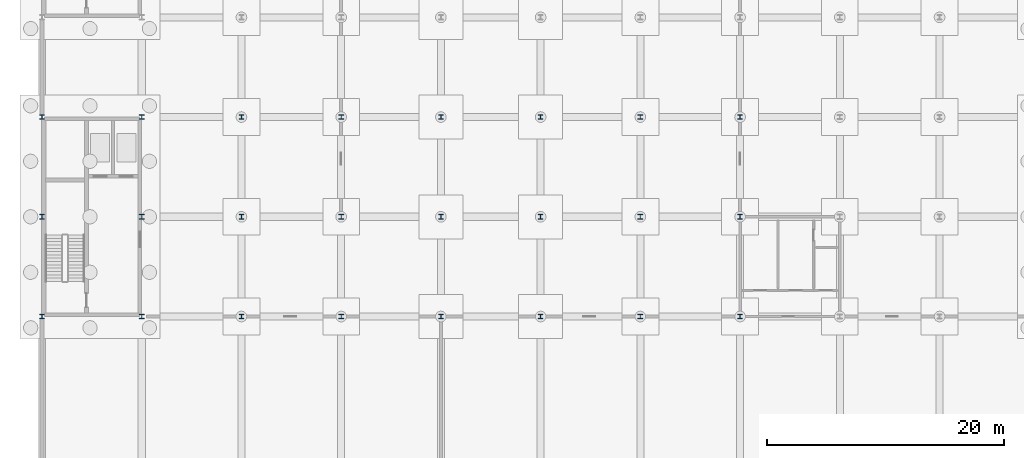
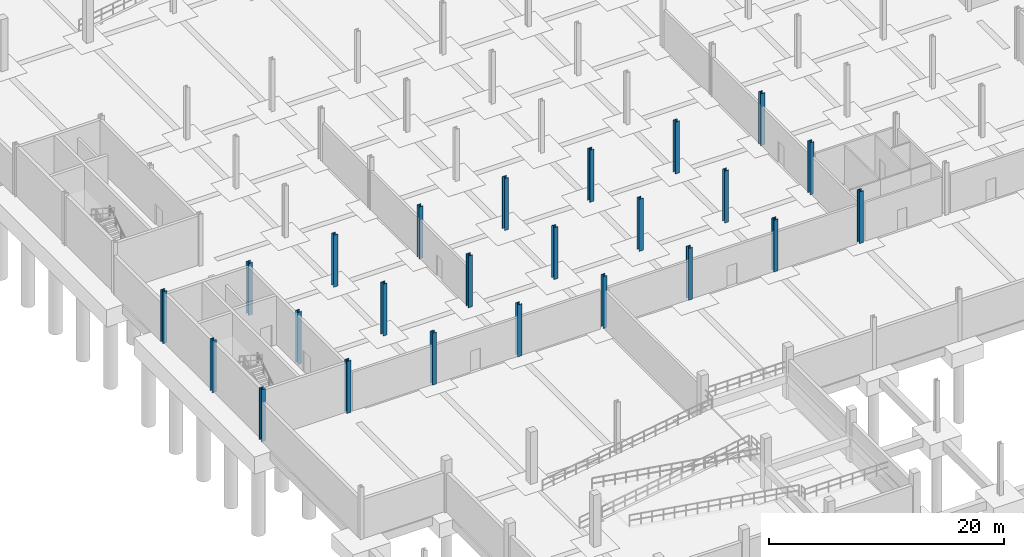
# One storey, part 8 of 36: 24 columns.
"""IFC4 building model written with IfcOpenShell, lengths in metres."""

import ifcopenshell
import ifcopenshell.guid

model = None  # the IFC model being written
_history = None  # IfcOwnerHistory: only IFC2X3 demands one
_inside = {}  # id of a spatial element -> (the spatial element, [elements in it])
_under = {}  # id of a project, library or spatial element -> (it, [spatial elements below it])
_declared = {}  # id of a project -> (the project, [libraries it declares])
_typed = {}  # id of a type object -> (the type object, [elements of that type])
_made_of = {}  # id of a material, layer set ... -> (it, [elements and type objects made of it])


def new_model(schema):
    """Start an empty IFC model of exactly this schema.

    Asked for "IFC4X3", IfcOpenShell would pick the latest addendum, in which some entities
    have other attributes; the version numbers below select the first issue.
    IFC2X3 requires an IfcOwnerHistory on every rooted entity: one is made here for all.
    """
    global model, _history
    if schema == "IFC4X3":
        model = ifcopenshell.file(schema_version=(4, 3, 0, 0))
    else:
        model = ifcopenshell.file(schema=schema)
    _inside.clear()
    _under.clear()
    _declared.clear()
    _typed.clear()
    _made_of.clear()
    _history = None
    if model.schema == "IFC2X3":
        org = make("IfcOrganization", Name="unknown")
        user = make(
            "IfcPersonAndOrganization",
            ThePerson=make("IfcPerson", FamilyName="unknown"),
            TheOrganization=org,
        )
        app = make(
            "IfcApplication",
            ApplicationDeveloper=org,
            Version="unknown",
            ApplicationFullName="unknown",
            ApplicationIdentifier="unknown",
        )
        _history = make(
            "IfcOwnerHistory",
            OwningUser=user,
            OwningApplication=app,
            ChangeAction="ADDED",
            CreationDate=0,
        )
    return model


def make(cls, **values):
    """One entity of the class cls with the attributes given. An attribute that is None is left unset."""
    return model.create_entity(
        cls, **{name: value for name, value in values.items() if value is not None}
    )


def rooted(cls, **values):
    """An entity with a GlobalId (a new one), such as an element, a storey or a relation."""
    return make(cls, GlobalId=ifcopenshell.guid.new(), OwnerHistory=_history, **values)


def si_unit(unit_type, name, prefix=None):
    """IfcSIUnit, for example si_unit("LENGTHUNIT", "METRE", prefix="MILLI")."""
    return make("IfcSIUnit", UnitType=unit_type, Prefix=prefix, Name=name)


def assignment(units):
    """IfcUnitAssignment: the units of a project."""
    return None if units is None else make("IfcUnitAssignment", Units=units)


def point(xyz):
    """IfcCartesianPoint."""
    return None if xyz is None else make("IfcCartesianPoint", Coordinates=xyz)


def direction(xyz):
    """IfcDirection."""
    return None if xyz is None else make("IfcDirection", DirectionRatios=xyz)


def frame(location, z_axis=None, x_axis=None):
    """IfcAxis2Placement3D, a coordinate frame: its origin and axes. An axis left out is left unset."""
    return make(
        "IfcAxis2Placement3D",
        Location=point(location),
        Axis=direction(z_axis),
        RefDirection=direction(x_axis),
    )


def frame_2d(location, x_axis=None):
    """IfcAxis2Placement2D, a coordinate frame in the plane: its origin and x axis."""
    return make(
        "IfcAxis2Placement2D", Location=point(location), RefDirection=direction(x_axis)
    )


def origin():
    """The frame at (0, 0, 0) with its axes left unset."""
    return frame((0.0, 0.0, 0.0))


def origin_2d():
    """The frame at (0, 0) in the plane with its x axis left unset."""
    return frame_2d((0.0, 0.0))


def place(relative_to, where):
    """IfcLocalPlacement: puts the frame where relative to a parent placement (None: the world)."""
    return make(
        "IfcLocalPlacement", PlacementRelTo=relative_to, RelativePlacement=where
    )


def context(
    kind, dimensions, precision=None, world=None, true_north=None, identifier=None
):
    """IfcGeometricRepresentationContext, for example the 3D "Model" context."""
    return make(
        "IfcGeometricRepresentationContext",
        ContextIdentifier=identifier,
        ContextType=kind,
        CoordinateSpaceDimension=dimensions,
        Precision=precision,
        WorldCoordinateSystem=world,
        TrueNorth=true_north,
    )


def subcontext(parent, identifier, kind, view, scale=None):
    """IfcGeometricRepresentationSubContext, for example "Body" below "Model"."""
    return make(
        "IfcGeometricRepresentationSubContext",
        ContextIdentifier=identifier,
        ContextType=kind,
        ParentContext=parent,
        TargetScale=scale,
        TargetView=view,
    )


def project(units=None, contexts=None):
    """IfcProject with its units and contexts."""
    return rooted(
        "IfcProject",
        Name="project",
        RepresentationContexts=contexts,
        UnitsInContext=assignment(units),
    )


def spatial(cls, under=None, at=None, **own):
    """A site, building, storey or space (cls), placed at a placement, below another one or the project."""
    s = rooted(cls, ObjectPlacement=at, **own)
    if under is not None:
        _under.setdefault(under.id(), (under, []))[1].append(s)
    return s


def profile(cls, at=None, kind="AREA", **sizes):
    """A parametric profile (cls). Its sizes go by their IFC names, for example OverallWidth=200.0."""
    return make(cls, ProfileType=kind, Position=at, **sizes)


def i_section(**sizes):
    """IfcIShapeProfileDef."""
    return profile("IfcIShapeProfileDef", **sizes)


def extrude(swept, where, along, depth):
    """IfcExtrudedAreaSolid: the profile swept, set in the frame where, extruded along a direction by depth."""
    return make(
        "IfcExtrudedAreaSolid",
        SweptArea=swept,
        Position=where,
        ExtrudedDirection=direction(along),
        Depth=depth,
    )


def shape(context_of_items, identifier, shape_type, items):
    """IfcShapeRepresentation: the items that make up one representation, for example the "Body"."""
    return make(
        "IfcShapeRepresentation",
        ContextOfItems=context_of_items,
        RepresentationIdentifier=identifier,
        RepresentationType=shape_type,
        Items=items,
    )


def material(Name=None, Category=None):
    """IfcMaterial."""
    return make("IfcMaterial", Name=Name, Category=Category)


def material_profile(
    of_material, cross_section, Name=None, Category=None, Priority=None
):
    """IfcMaterialProfile: a cross section and its material."""
    return make(
        "IfcMaterialProfile",
        Name=Name,
        Material=of_material,
        Profile=cross_section,
        Priority=Priority,
        Category=Category,
    )


def profile_set(profiles, Name=None, composite=None):
    """IfcMaterialProfileSet."""
    return make(
        "IfcMaterialProfileSet",
        Name=Name,
        MaterialProfiles=profiles,
        CompositeProfile=composite,
    )


def made_of(thing, what):
    """Note that an element or type object is made of a material, layer set ...; save() writes the relation."""
    if what is not None:
        _made_of.setdefault(what.id(), (what, []))[1].append(thing)
    return thing


def type_object(cls, material=None, **own):
    """A type object (cls), such as IfcWallType, which elements share."""
    return made_of(rooted(cls, **own), material)


def element(
    cls,
    number,
    at=None,
    inside=None,
    cuts=None,
    type_object=None,
    material=None,
    context=None,
    identifier="Body",
    shape_type=None,
    held_by="IfcProductDefinitionShape",
    body=None,
    shapes=None,
    **own,
):
    """One element of the class cls, such as IfcWall. Its Tag is "e" and its number.

    at: its placement. inside: the storey or other place that contains it. cuts: it is an
    opening in that element (IfcRelVoidsElement). A single representation is given by context,
    identifier, shape_type and body (its items); several are given by shapes. held_by: the class
    of the entity that holds the representations. save() writes the other relations.
    """
    e = rooted(cls, Tag="e%d" % number, ObjectPlacement=at, **own)
    if body is not None:
        shapes = [shape(context, identifier, shape_type, body)]
    if shapes is not None:
        e.Representation = make(held_by, Representations=shapes)
    if inside is not None:
        _inside.setdefault(inside.id(), (inside, []))[1].append(e)
    if cuts is not None:
        rooted(
            "IfcRelVoidsElement", RelatingBuildingElement=cuts, RelatedOpeningElement=e
        )
    if type_object is not None:
        _typed.setdefault(type_object.id(), (type_object, []))[1].append(e)
    return made_of(e, material)


def aggregate(whole, parts):
    """IfcRelAggregates: a whole, such as a stair, and the parts it consists of."""
    return rooted("IfcRelAggregates", RelatingObject=whole, RelatedObjects=parts)


def save(model, path):
    """Write the relations noted so far, then the file.

    IfcRelAggregates (storeys below a building ...), IfcRelContainedInSpatialStructure (elements
    in a storey), IfcRelDefinesByType, IfcRelAssociatesMaterial and IfcRelDeclares: one each for
    every whole, place, type object, material and project.
    """
    for whole, parts in _under.values():
        aggregate(whole, parts)
    for where, things in _inside.values():
        rooted(
            "IfcRelContainedInSpatialStructure",
            RelatedElements=things,
            RelatingStructure=where,
        )
    for kind, things in _typed.values():
        rooted("IfcRelDefinesByType", RelatedObjects=things, RelatingType=kind)
    for what, things in _made_of.values():
        rooted("IfcRelAssociatesMaterial", RelatedObjects=things, RelatingMaterial=what)
    for by, libraries in _declared.values():
        rooted("IfcRelDeclares", RelatingContext=by, RelatedDefinitions=libraries)
    model.write(path)


model = new_model("IFC4")

# Units and contexts
model_context = context("Model", 3, precision=1e-05, world=origin(), true_north=direction((0.0, 1.0)))
body_context = subcontext(model_context, "Body", "Model", "MODEL_VIEW")
ifc_project = project(units=[si_unit("LENGTHUNIT", "METRE"), si_unit("AREAUNIT", "SQUARE_METRE"), si_unit("VOLUMEUNIT", "CUBIC_METRE"), si_unit("PLANEANGLEUNIT", "RADIAN"), si_unit("MASSUNIT", "GRAM", prefix="KILO"), si_unit("THERMODYNAMICTEMPERATUREUNIT", "KELVIN"), si_unit("POWERUNIT", "WATT")], contexts=[model_context])

# Site, building, storey
site_placement = place(None, origin())
site = spatial("IfcSite", under=ifc_project, at=site_placement, CompositionType="ELEMENT")
building_placement = place(site_placement, origin())
building = spatial("IfcBuilding", under=site, at=building_placement, Name="Tembeka Court Mobility Hub", CompositionType="ELEMENT")
storey_placement = place(building_placement, frame((0.0, 0.0, -5.39990234375)))
storey = spatial("IfcBuildingStorey", under=building, at=storey_placement, Name="B1", CompositionType="ELEMENT", Elevation=-5.39990234375)

# Columns
ifc_material = material(Name="Steel S355", Category="steel")
ifc_material_profile = material_profile(ifc_material, i_section(OverallWidth=0.39892578125, OverallDepth=0.39404296875, WebThickness=0.022705078125, FlangeThickness=0.03662109375, FilletRadius=0.01513671875, at=origin_2d()), Name="UKC 356x406x287")
ifc_profile_set = profile_set([ifc_material_profile], Name="Steel S355")
column_type = type_object("IfcColumnType", Name="COL-C01", PredefinedType="COLUMN", material=ifc_profile_set)
for number, where, z_axis, x_axis, name in (
    (1, (0.0, 38.39990234375, 0.0), (0.0, 0.0, 1.0), (1.0, 0.0, 0.0), "Column C01 (B1-004)"),
    (2, (0.0, 46.800048828125, 0.0), (0.0, 0.0, 1.0), (1.0, 0.0, 0.0), "Column C01 (B1-005)"),
    (3, (0.0, 55.199951171875, 0.0), (0.0, 0.0, 1.0), (1.0, 0.0, 0.0), "Column C01 (B1-006)"),
    (4, (8.39990234375, 38.39990234375, 0.0), (0.0, 0.0, 1.0), (1.0, 0.0, 0.0), "Column C01 (B1-016)"),
    (5, (8.39990234375, 46.800048828125, 0.0), (0.0, 0.0, 1.0), (1.0, 0.0, 0.0), "Column C01 (B1-017)"),
    (6, (8.39990234375, 55.199951171875, 0.0), (0.0, 0.0, 1.0), (1.0, 0.0, 0.0), "Column C01 (B1-018)"),
    (7, (16.800048828125, 38.39990234375, 0.0), (0.0, 0.0, 1.0), (1.0, 0.0, 0.0), "Column C01 (B1-028)"),
    (8, (16.800048828125, 46.800048828125, 0.0), (0.0, 0.0, 1.0), (1.0, 0.0, 0.0), "Column C01 (B1-029)"),
    (9, (16.800048828125, 55.199951171875, 0.0), (0.0, 0.0, 1.0), (1.0, 0.0, 0.0), "Column C01 (B1-030)"),
    (10, (25.199951171875, 38.39990234375, 0.0), (0.0, 0.0, 1.0), (1.0, 0.0, 0.0), "Column C01 (B1-039)"),
    (11, (25.199951171875, 46.800048828125, 0.0), (0.0, 0.0, 1.0), (1.0, 0.0, 0.0), "Column C01 (B1-040)"),
    (12, (25.199951171875, 55.199951171875, 0.0), (0.0, 0.0, 1.0), (1.0, 0.0, 0.0), "Column C01 (B1-041)"),
    (13, (33.60009765625, 38.39990234375, 0.0), (0.0, 0.0, 1.0), (1.0, 0.0, 0.0), "Column C01 (B1-050)"),
    (14, (33.60009765625, 46.800048828125, 0.0), (0.0, 0.0, 1.0), (1.0, 0.0, 0.0), "Column C01 (B1-051)"),
    (15, (33.60009765625, 55.199951171875, 0.0), (0.0, 0.0, 1.0), (1.0, 0.0, 0.0), "Column C01 (B1-052)"),
    (16, (42.0, 38.39990234375, 0.0), (0.0, 0.0, 1.0), (1.0, 0.0, 0.0), "Column C01 (B1-062)"),
    (17, (42.0, 46.800048828125, 0.0), (0.0, 0.0, 1.0), (1.0, 0.0, 0.0), "Column C01 (B1-063)"),
    (18, (42.0, 55.199951171875, 0.0), (0.0, 0.0, 1.0), (1.0, 0.0, 0.0), "Column C01 (B1-064)"),
    (19, (50.39990234375, 38.39990234375, 0.0), (0.0, 0.0, 1.0), (1.0, 0.0, 0.0), "Column C01 (B1-074)"),
    (20, (50.39990234375, 46.800048828125, 0.0), (0.0, 0.0, 1.0), (1.0, 0.0, 0.0), "Column C01 (B1-075)"),
    (21, (50.39990234375, 55.199951171875, 0.0), (0.0, 0.0, 1.0), (1.0, 0.0, 0.0), "Column C01 (B1-076)"),
    (22, (58.800048828125, 38.39990234375, 0.0), (0.0, 0.0, 1.0), (1.0, 0.0, 0.0), "Column C01 (B1-085)"),
    (23, (58.800048828125, 46.800048828125, 0.0), (0.0, 0.0, 1.0), (1.0, 0.0, 0.0), "Column C01 (B1-086)"),
    (24, (58.800048828125, 55.199951171875, 0.0), (0.0, 0.0, 1.0), (1.0, 0.0, 0.0), "Column C01 (B1-087)"),
):
    element("IfcColumn", number, at=place(storey_placement, frame(where, z_axis=z_axis, x_axis=x_axis)), inside=storey, type_object=column_type, Name=name, PredefinedType="COLUMN", context=body_context, shape_type="SweptSolid", body=[
        extrude(i_section(OverallWidth=0.39892578125, OverallDepth=0.39404296875, WebThickness=0.022705078125, FlangeThickness=0.03662109375, FilletRadius=0.01513671875, at=origin_2d()), origin(), (0.0, 0.0, 1.0), 5.39990234375),
    ])

save(model, "model.ifc")
